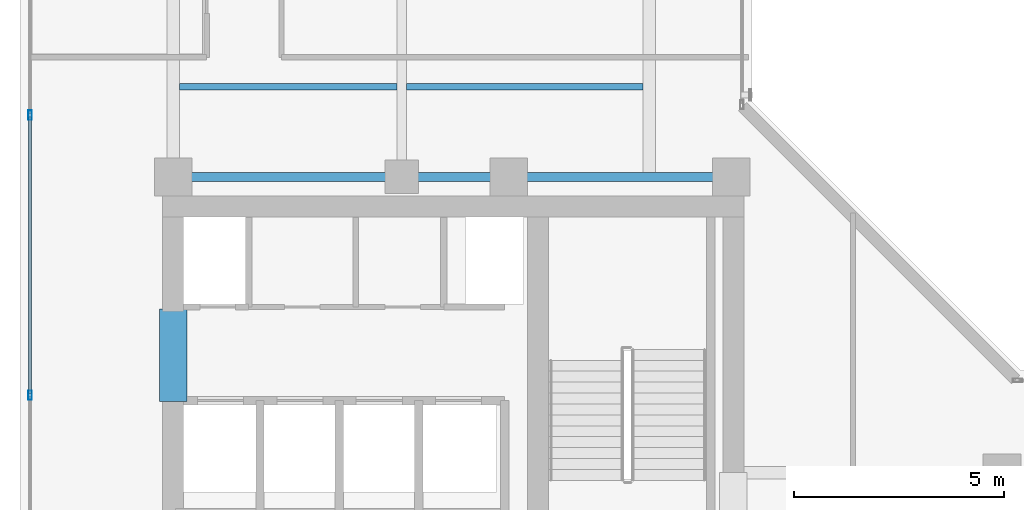
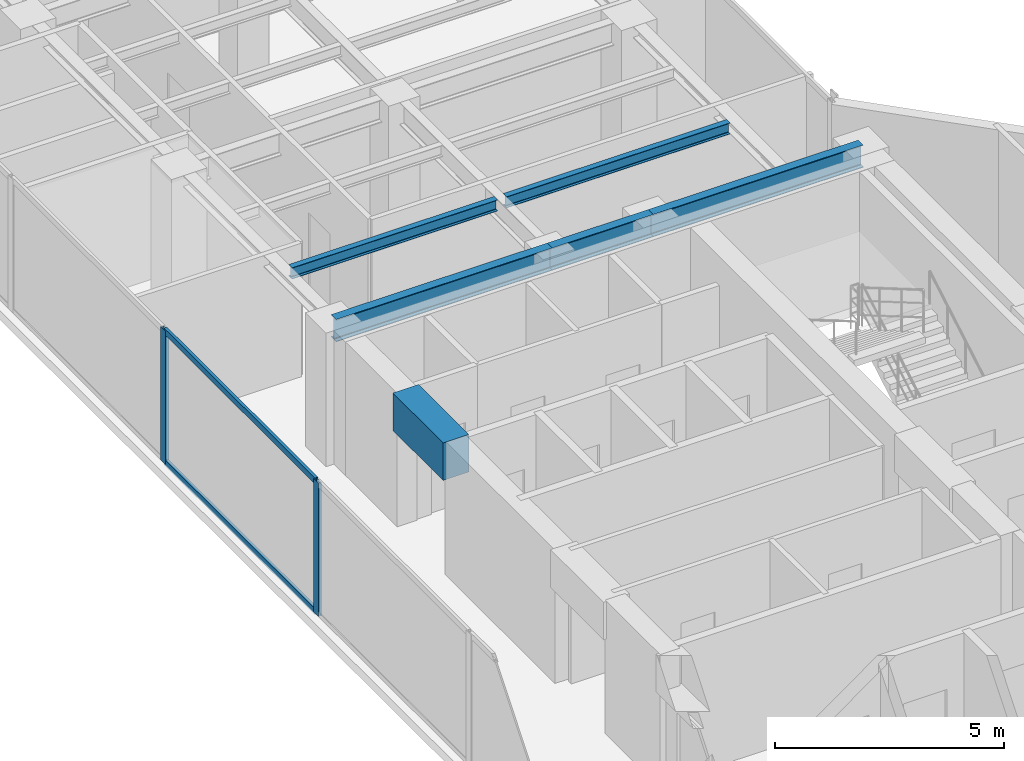
# One storey, part 6 of 23: 6 beams, 4 members, 1 element without a shape of its own.
"""IFC4 building model written with IfcOpenShell, lengths in metres."""

from ifc_helpers import new_model, si_unit, direction, frame, origin, origin_with_axes, origin_2d, place, context, subcontext, project, spatial, rectangle, hollow_rectangle, i_section, extrude, source, transform, mapped, material, layer, layer_set, material_profile, profile_set, type_object, element, aggregate, save


model = new_model("IFC4")

# Units and contexts
model_context = context("Model", 3, precision=1e-05, world=origin(), true_north=direction((0.0, 1.0)))
body_context = subcontext(model_context, "Body", "Model", "MODEL_VIEW")
ifc_project = project(units=[si_unit("LENGTHUNIT", "METRE"), si_unit("AREAUNIT", "SQUARE_METRE"), si_unit("VOLUMEUNIT", "CUBIC_METRE"), si_unit("PLANEANGLEUNIT", "RADIAN"), si_unit("MASSUNIT", "GRAM", prefix="KILO")], contexts=[model_context])

# Site, building, storey
site_placement = place(None, origin())
site = spatial("IfcSite", under=ifc_project, at=site_placement, CompositionType="ELEMENT")
building_placement = place(site_placement, origin())
building = spatial("IfcBuilding", under=site, at=building_placement, Name="Kolvaren Waterfront Exchange", CompositionType="ELEMENT")
storey_placement = place(building_placement, frame((0.0, 0.0, 319.800048828125)))
storey = spatial("IfcBuildingStorey", under=building, at=storey_placement, Name="L82", CompositionType="ELEMENT", Elevation=319.800048828125)

# Beams
ifc_material_1 = material(Name="Steel S355", Category="steel")
ifc_material_profile_1 = material_profile(ifc_material_1, i_section(OverallWidth=0.14990234375, OverallDepth=0.300048828125, WebThickness=0.007080078125, FlangeThickness=0.0107421875, FilletRadius=0.014892578125, at=origin_2d()), Name="IPE300")
ifc_profile_set_1 = profile_set([ifc_material_profile_1], Name="Steel S355")
beam_type_1 = type_object("IfcBeamType", Name="STR-BM-IPE300", PredefinedType="JOIST", material=ifc_profile_set_1)
beam_1_placement = place(storey_placement, frame((7.60205078125, 26.60009765625, 3.409912109375), z_axis=(1.0, 0.0, 0.0), x_axis=(0.0, 1.0, 0.0)))
element("IfcBeam", 1, at=beam_1_placement, inside=storey, type_object=beam_type_1, Name="L82 north-arm composite joist 1A", PredefinedType="JOIST", context=body_context, shape_type="SweptSolid", body=[
    extrude(i_section(OverallWidth=0.14990234375, OverallDepth=0.300048828125, WebThickness=0.007080078125, FlangeThickness=0.0107421875, FilletRadius=0.014892578125, at=origin_2d()), origin(), (0.0, 0.0, 1.0), 5.18603515625),
])
beam_2_placement = place(storey_placement, frame((13.011962890625, 26.60009765625, 3.409912109375), z_axis=(1.0, 0.0, 0.0), x_axis=(0.0, 1.0, 0.0)))
element("IfcBeam", 2, at=beam_2_placement, inside=storey, type_object=beam_type_1, Name="L82 north-arm composite joist 1B", PredefinedType="JOIST", context=body_context, shape_type="SweptSolid", body=[
    extrude(i_section(OverallWidth=0.14990234375, OverallDepth=0.300048828125, WebThickness=0.007080078125, FlangeThickness=0.0107421875, FilletRadius=0.014892578125, at=origin_2d()), origin(), (0.0, 0.0, 1.0), 5.635986328125),
])
ifc_material_profile_2 = material_profile(ifc_material_1, i_section(OverallWidth=0.219970703125, OverallDepth=0.60009765625, WebThickness=0.011962890625, FlangeThickness=0.01904296875, FilletRadius=0.02392578125, at=origin_2d()), Name="IPE600")
ifc_profile_set_2 = profile_set([ifc_material_profile_2], Name="Steel S355")
beam_type_2 = type_object("IfcBeamType", Name="STR-BM-IPE600", PredefinedType="BEAM", material=ifc_profile_set_2)
beam_3_placement = place(storey_placement, frame((7.449951171875, 24.449951171875, 3.260009765625), z_axis=(1.0, 0.0, 0.0), x_axis=(0.0, 1.0, 0.0)))
element("IfcBeam", 3, at=beam_3_placement, inside=storey, type_object=beam_type_2, Name="L82 north-arm girder 1A", PredefinedType="BEAM", context=body_context, shape_type="SweptSolid", body=[
    extrude(i_section(OverallWidth=0.219970703125, OverallDepth=0.60009765625, WebThickness=0.011962890625, FlangeThickness=0.01904296875, FilletRadius=0.02392578125, at=origin_2d()), origin(), (0.0, 0.0, 1.0), 5.449951171875),
])
beam_4_placement = place(storey_placement, frame((12.89990234375, 24.449951171875, 3.260009765625), z_axis=(1.0, 0.0, 0.0), x_axis=(0.0, 1.0, 0.0)))
element("IfcBeam", 4, at=beam_4_placement, inside=storey, type_object=beam_type_2, Name="L82 north-arm girder 1B", PredefinedType="BEAM", context=body_context, shape_type="SweptSolid", body=[
    extrude(i_section(OverallWidth=0.219970703125, OverallDepth=0.60009765625, WebThickness=0.011962890625, FlangeThickness=0.01904296875, FilletRadius=0.02392578125, at=origin_2d()), origin(), (0.0, 0.0, 1.0), 2.550048828125),
])
beam_5_placement = place(storey_placement, frame((15.449951171875, 24.449951171875, 3.260009765625), z_axis=(1.0, 0.0, 0.0), x_axis=(0.0, 1.0, 0.0)))
element("IfcBeam", 5, at=beam_5_placement, inside=storey, type_object=beam_type_2, Name="L82 north-arm girder 1C", PredefinedType="BEAM", context=body_context, shape_type="SweptSolid", body=[
    extrude(i_section(OverallWidth=0.219970703125, OverallDepth=0.60009765625, WebThickness=0.011962890625, FlangeThickness=0.01904296875, FilletRadius=0.02392578125, at=origin_2d()), origin(), (0.0, 0.0, 1.0), 5.300048828125),
])
ifc_material_2 = material(Name="Concrete C60/75", Category="concrete")
ifc_material_profile_3 = material_profile(ifc_material_2, rectangle(XDim=0.64990234375, YDim=1.0, at=origin_2d()), Name="RC-CB-1000x650")
ifc_profile_set_3 = profile_set([ifc_material_profile_3], Name="Concrete C60/75")
beam_type_3 = type_object("IfcBeamType", Name="STR-CB-1000", PredefinedType="SPANDREL", material=ifc_profile_set_3)
beam_6_placement = place(storey_placement, frame((7.449951171875, 19.10009765625, 3.06005859375), z_axis=(0.0, 1.0, 0.0), x_axis=(-1.0, 0.0, 0.0)))
element("IfcBeam", 6, at=beam_6_placement, inside=storey, type_object=beam_type_3, Name="L82 core coupling beam 5", PredefinedType="SPANDREL", context=body_context, shape_type="SweptSolid", body=[
    extrude(rectangle(XDim=0.64990234375, YDim=1.0, at=origin_2d()), origin(), (0.0, 0.0, 1.0), 2.199951171875),
])

# Curtain wall, members
ifc_material_3 = material(Name="Anodised aluminium 6063-T6", Category="aluminium")
ifc_layer = layer(ifc_material_3, 0.219970703125, Name="Anodised aluminium 6063-T6")
ifc_layer_set = layer_set([ifc_layer], Name="Anodised aluminium 6063-T6")
curtain_wall_type = type_object("IfcCurtainWallType", Name="ARC-CW-SYS2", PredefinedType="USERDEFINED", material=ifc_layer_set)
curtain_wall_placement = place(storey_placement, origin())
curtain_wall = element("IfcCurtainWall", 7, at=curtain_wall_placement, inside=storey, type_object=curtain_wall_type, Name="L82 stick curtain wall CW2 (CW-L82-W)", ObjectType="STICK CURTAIN WALL", PredefinedType="USERDEFINED")
ifc_material_profile_4 = material_profile(ifc_material_3, hollow_rectangle(XDim=0.080078125, YDim=0.219970703125, WallThickness=0.0048828125, at=origin_2d()), Name="ALU-MUL-220x80x5")
ifc_profile_set_4 = profile_set([ifc_material_profile_4], Name="Anodised aluminium 6063-T6")
member_type_1 = type_object("IfcMemberType", Name="ARC-CWM-220", PredefinedType="MULLION", material=ifc_profile_set_4)
shared_shape_1 = source(origin_with_axes(), body_context, "Body", "SweptSolid", [
    extrude(hollow_rectangle(XDim=0.080078125, YDim=0.219970703125, WallThickness=0.0048828125, at=origin_2d()), origin(), (0.0, 0.0, 1.0), 3.56005859375),
])
member_1_placement = place(storey_placement, frame((4.0400390625, 19.2490234375, 0.0), z_axis=(0.0, 0.0, 1.0), x_axis=(-1.0, 0.0, 0.0)))
member_1 = element("IfcMember", 8, at=member_1_placement, type_object=member_type_1, Name="CW2 mullion 3", PredefinedType="MULLION", context=body_context, shape_type="MappedRepresentation", body=[
    mapped(shared_shape_1, transform((0.0, 0.0, 0.0), x_axis=(1.0, 0.0, 0.0), y_axis=(0.0, 1.0, 0.0), z_axis=(0.0, 0.0, 1.0), scale=1.0)),
])
member_2_placement = place(storey_placement, frame((4.0400390625, 25.923583984375, 0.0), z_axis=(0.0, 0.0, 1.0), x_axis=(-1.0, 0.0, 0.0)))
member_2 = element("IfcMember", 9, at=member_2_placement, type_object=member_type_1, Name="CW2 mullion 4", PredefinedType="MULLION", context=body_context, shape_type="MappedRepresentation", body=[
    mapped(shared_shape_1, transform((0.0, 0.0, 0.0), x_axis=(1.0, 0.0, 0.0), y_axis=(0.0, 1.0, 0.0), z_axis=(0.0, 0.0, 1.0), scale=1.0)),
])
ifc_material_profile_5 = material_profile(ifc_material_3, hollow_rectangle(XDim=0.074951171875, YDim=0.159912109375, WallThickness=0.00439453125, at=origin_2d()), Name="ALU-TRN-160x75x4.5")
ifc_profile_set_5 = profile_set([ifc_material_profile_5], Name="Anodised aluminium 6063-T6")
member_type_2 = type_object("IfcMemberType", Name="ARC-CWT-160", PredefinedType="USERDEFINED", material=ifc_profile_set_5)
shared_shape_2 = source(origin_with_axes(), body_context, "Body", "SweptSolid", [
    extrude(hollow_rectangle(XDim=0.074951171875, YDim=0.159912109375, WallThickness=0.00439453125, at=origin_2d()), origin(), (0.0, 0.0, 1.0), 6.5947265625),
])
member_3_placement = place(storey_placement, frame((4.0400390625, 19.2890625, 0.037353515625), z_axis=(0.0, 1.0, 0.0), x_axis=(-1.0, 0.0, 0.0)))
member_3 = element("IfcMember", 10, at=member_3_placement, type_object=member_type_2, Name="CW2 transom 3.1", ObjectType="TRANSOM", PredefinedType="USERDEFINED", context=body_context, shape_type="MappedRepresentation", body=[
    mapped(shared_shape_2, transform((0.0, 0.0, 0.0), x_axis=(1.0, 0.0, 0.0), y_axis=(0.0, 1.0, 0.0), z_axis=(0.0, 0.0, 1.0), scale=1.0)),
])
member_4_placement = place(storey_placement, frame((4.0400390625, 19.2890625, 3.5224609375), z_axis=(0.0, 1.0, 0.0), x_axis=(-1.0, 0.0, 0.0)))
member_4 = element("IfcMember", 11, at=member_4_placement, type_object=member_type_2, Name="CW2 transom 3.2", ObjectType="TRANSOM", PredefinedType="USERDEFINED", context=body_context, shape_type="MappedRepresentation", body=[
    mapped(shared_shape_2, transform((0.0, 0.0, 0.0), x_axis=(1.0, 0.0, 0.0), y_axis=(0.0, 1.0, 0.0), z_axis=(0.0, 0.0, 1.0), scale=1.0)),
])
aggregate(curtain_wall, [member_1, member_2, member_3, member_4])

save(model, "model.ifc")
